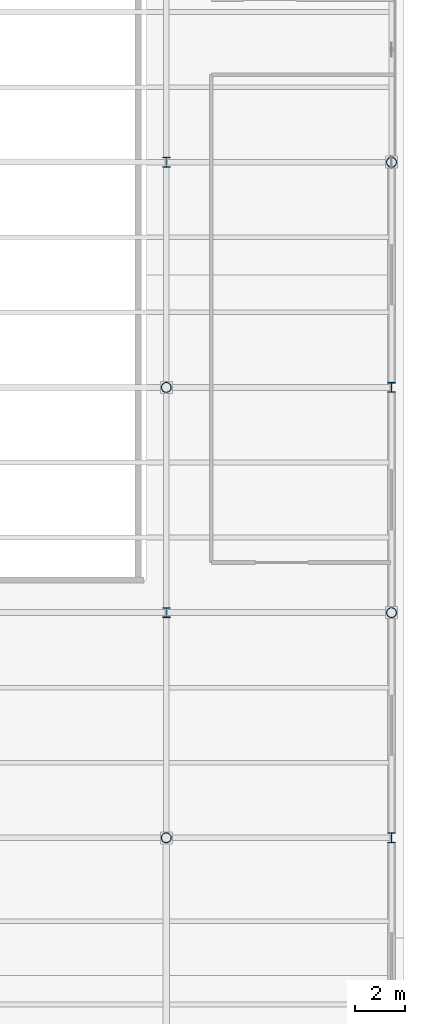
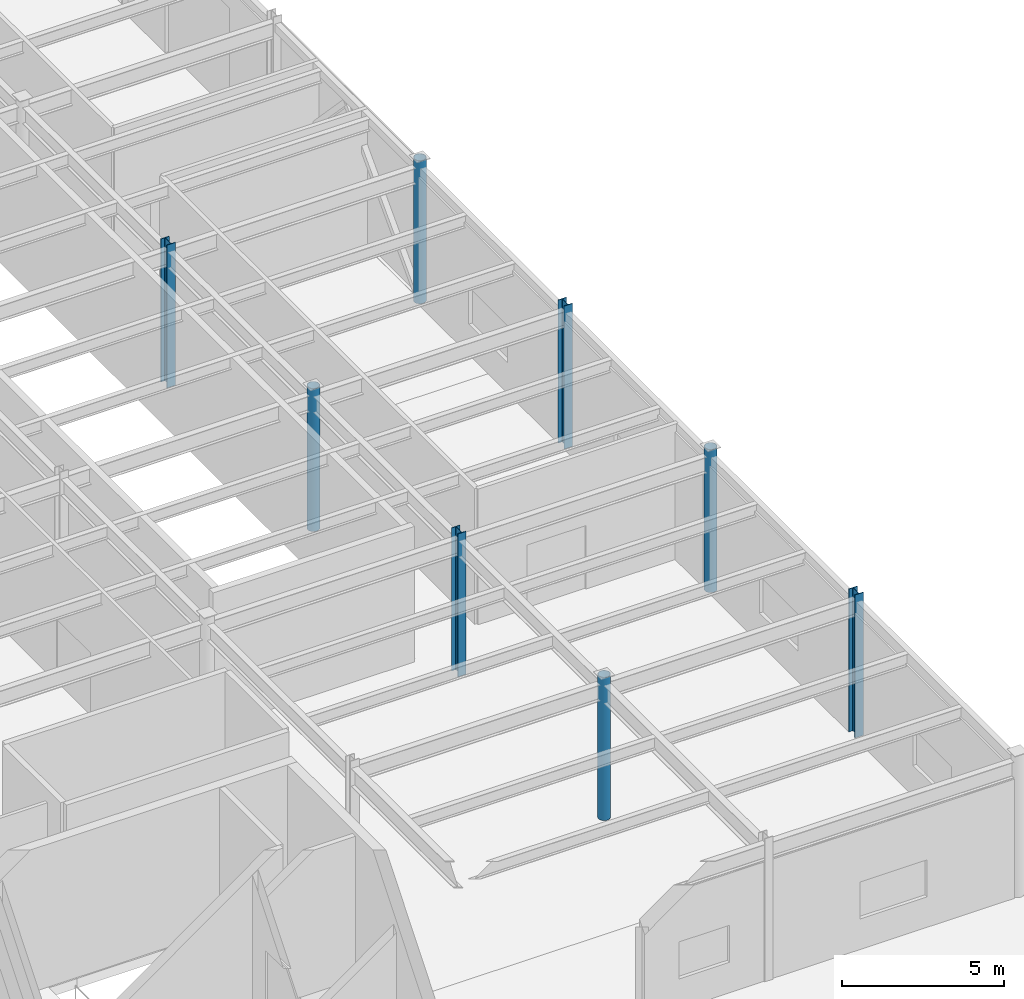
# One storey, part 19 of 79: 8 columns.
"""IFC4 building model written with IfcOpenShell, lengths in metres."""

from ifc_helpers import new_model, si_unit, direction, frame, origin, origin_2d, place, context, subcontext, project, spatial, hollow_circle, i_section, extrude, material, material_profile, profile_set, type_object, element, save


model = new_model("IFC4")

# Units and contexts
model_context = context("Model", 3, precision=1e-05, world=origin(), true_north=direction((0.0, 1.0)))
body_context = subcontext(model_context, "Body", "Model", "MODEL_VIEW")
ifc_project = project(units=[si_unit("LENGTHUNIT", "METRE"), si_unit("AREAUNIT", "SQUARE_METRE"), si_unit("VOLUMEUNIT", "CUBIC_METRE"), si_unit("PLANEANGLEUNIT", "RADIAN"), si_unit("MASSUNIT", "GRAM", prefix="KILO")], contexts=[model_context])

# Site, building, storey
site_placement = place(None, origin())
site = spatial("IfcSite", under=ifc_project, at=site_placement, CompositionType="ELEMENT")
building_placement = place(site_placement, origin())
building = spatial("IfcBuilding", under=site, at=building_placement, Name="Glasvene Arena", CompositionType="ELEMENT")
storey_placement = place(building_placement, origin())
storey = spatial("IfcBuildingStorey", under=building, at=storey_placement, Name="L00", CompositionType="ELEMENT", Elevation=0.0)

# Columns
ifc_material = material(Name="Steel S355J2", Category="steel")
ifc_material_profile_1 = material_profile(ifc_material, hollow_circle(Radius=0.203125, WallThickness=0.01611328125, at=origin_2d()), Name="CHS 406.4x16.0")
ifc_profile_set_1 = profile_set([ifc_material_profile_1], Name="Steel S355J2")
column_type_1 = type_object("IfcColumnType", Name="COL-W-CHS406", PredefinedType="COLUMN", material=ifc_profile_set_1)
for number, where, z_axis, x_axis, name in (
    (1, (165.0, 64.0, 0.0), (0.0, 0.0, 1.0), (1.0, 0.0, 0.0), "Grid column 19-8 L00"),
    (2, (165.0, 82.0, 0.0), (0.0, 0.0, 1.0), (1.0, 0.0, 0.0), "Grid column 19-10 L00"),
    (3, (174.0, 73.0, 0.0), (0.0, 0.0, 1.0), (1.0, 0.0, 0.0), "Grid column 20-9 L00"),
    (4, (174.0, 91.0, 0.0), (0.0, 0.0, 1.0), (1.0, 0.0, 0.0), "Grid column 20-11 L00"),
):
    element("IfcColumn", number, at=place(storey_placement, frame(where, z_axis=z_axis, x_axis=x_axis)), inside=storey, type_object=column_type_1, Name=name, PredefinedType="COLUMN", context=body_context, shape_type="SweptSolid", body=[
        extrude(hollow_circle(Radius=0.203125, WallThickness=0.01611328125, at=origin_2d()), origin(), (0.0, 0.0, 1.0), 5.39990234375),
    ])
ifc_material_profile_2 = material_profile(ifc_material, i_section(OverallWidth=0.300048828125, OverallDepth=0.39990234375, WebThickness=0.013427734375, FlangeThickness=0.02392578125, FilletRadius=0.027099609375, at=origin_2d()), Name="HEB 400")
ifc_profile_set_2 = profile_set([ifc_material_profile_2], Name="Steel S355J2")
column_type_2 = type_object("IfcColumnType", Name="COL-W-HEB400", PredefinedType="COLUMN", material=ifc_profile_set_2)
for number, where, z_axis, x_axis, name in (
    (5, (165.0, 73.0, 0.0), (0.0, 0.0, 1.0), (1.0, 0.0, 0.0), "Grid column 19-9 L00"),
    (6, (165.0, 91.0, 0.0), (0.0, 0.0, 1.0), (1.0, 0.0, 0.0), "Grid column 19-11 L00"),
    (7, (174.0, 64.0, 0.0), (0.0, 0.0, 1.0), (1.0, 0.0, 0.0), "Grid column 20-8 L00"),
    (8, (174.0, 82.0, 0.0), (0.0, 0.0, 1.0), (1.0, 0.0, 0.0), "Grid column 20-10 L00"),
):
    element("IfcColumn", number, at=place(storey_placement, frame(where, z_axis=z_axis, x_axis=x_axis)), inside=storey, type_object=column_type_2, Name=name, PredefinedType="COLUMN", context=body_context, shape_type="SweptSolid", body=[
        extrude(i_section(OverallWidth=0.300048828125, OverallDepth=0.39990234375, WebThickness=0.013427734375, FlangeThickness=0.02392578125, FilletRadius=0.027099609375, at=origin_2d()), origin(), (0.0, 0.0, 1.0), 5.39990234375),
    ])

save(model, "model.ifc")
